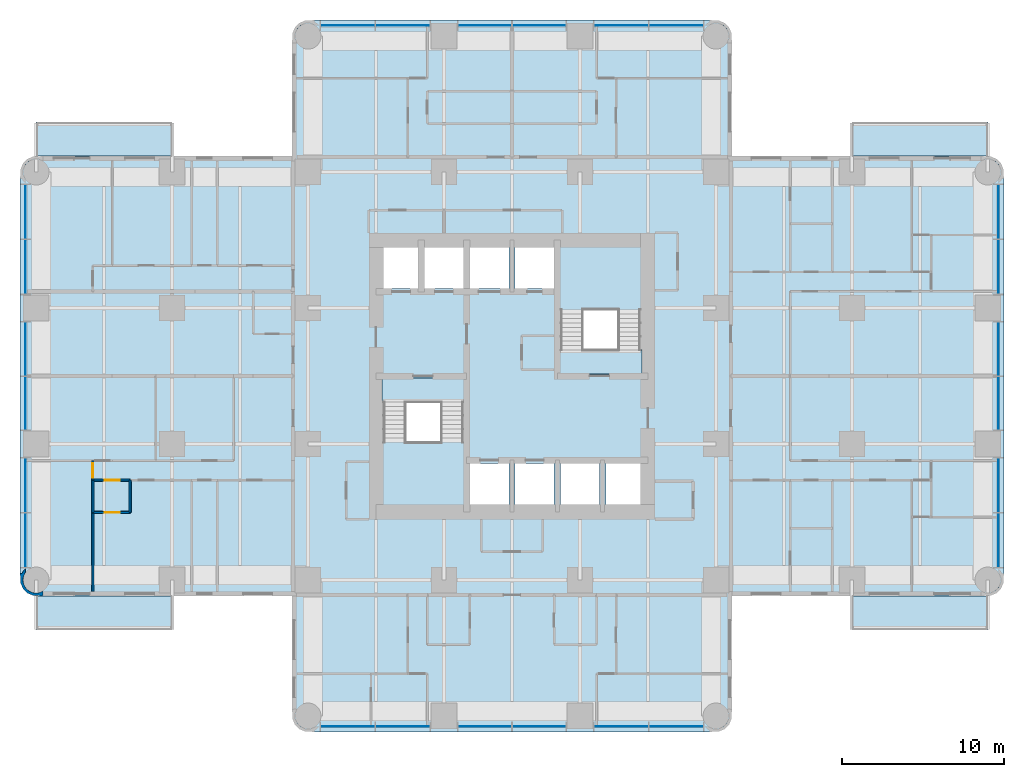
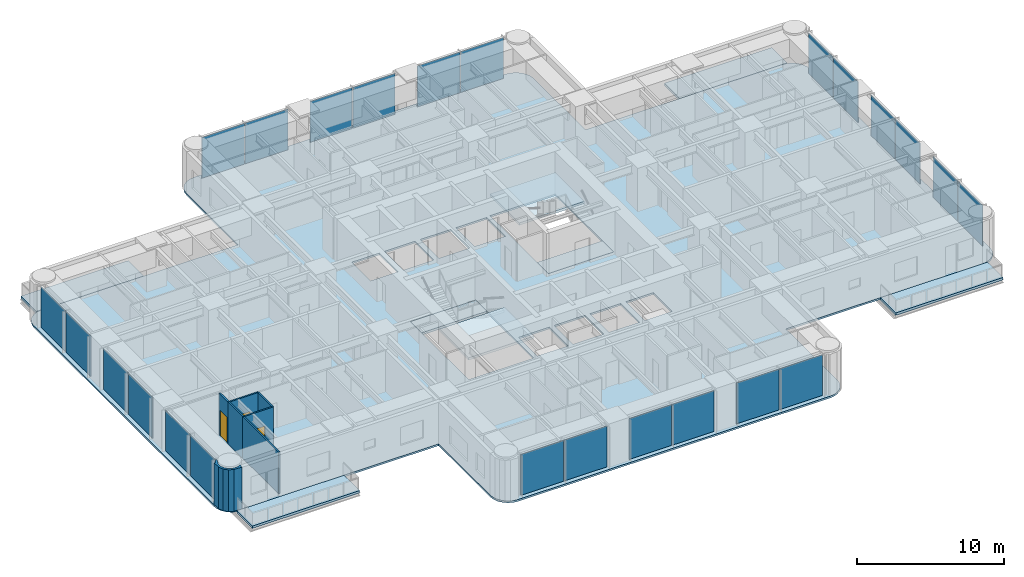
# One storey, part 5 of 15: 24 plates, 9 slabs, 7 walls, 3 doors, 3 openings, 6 elements without a shape of their own.
"""IFC4 building model written with IfcOpenShell, lengths in metres."""

import ifcopenshell
import ifcopenshell.guid

model = None  # the IFC model being written
_history = None  # IfcOwnerHistory: only IFC2X3 demands one
_inside = {}  # id of a spatial element -> (the spatial element, [elements in it])
_under = {}  # id of a project, library or spatial element -> (it, [spatial elements below it])
_declared = {}  # id of a project -> (the project, [libraries it declares])
_typed = {}  # id of a type object -> (the type object, [elements of that type])
_made_of = {}  # id of a material, layer set ... -> (it, [elements and type objects made of it])


def new_model(schema):
    """Start an empty IFC model of exactly this schema.

    Asked for "IFC4X3", IfcOpenShell would pick the latest addendum, in which some entities
    have other attributes; the version numbers below select the first issue.
    IFC2X3 requires an IfcOwnerHistory on every rooted entity: one is made here for all.
    """
    global model, _history
    if schema == "IFC4X3":
        model = ifcopenshell.file(schema_version=(4, 3, 0, 0))
    else:
        model = ifcopenshell.file(schema=schema)
    _inside.clear()
    _under.clear()
    _declared.clear()
    _typed.clear()
    _made_of.clear()
    _history = None
    if model.schema == "IFC2X3":
        org = make("IfcOrganization", Name="unknown")
        user = make(
            "IfcPersonAndOrganization",
            ThePerson=make("IfcPerson", FamilyName="unknown"),
            TheOrganization=org,
        )
        app = make(
            "IfcApplication",
            ApplicationDeveloper=org,
            Version="unknown",
            ApplicationFullName="unknown",
            ApplicationIdentifier="unknown",
        )
        _history = make(
            "IfcOwnerHistory",
            OwningUser=user,
            OwningApplication=app,
            ChangeAction="ADDED",
            CreationDate=0,
        )
    return model


def make(cls, **values):
    """One entity of the class cls with the attributes given. An attribute that is None is left unset."""
    return model.create_entity(
        cls, **{name: value for name, value in values.items() if value is not None}
    )


def rooted(cls, **values):
    """An entity with a GlobalId (a new one), such as an element, a storey or a relation."""
    return make(cls, GlobalId=ifcopenshell.guid.new(), OwnerHistory=_history, **values)


def si_unit(unit_type, name, prefix=None):
    """IfcSIUnit, for example si_unit("LENGTHUNIT", "METRE", prefix="MILLI")."""
    return make("IfcSIUnit", UnitType=unit_type, Prefix=prefix, Name=name)


def assignment(units):
    """IfcUnitAssignment: the units of a project."""
    return None if units is None else make("IfcUnitAssignment", Units=units)


def point(xyz):
    """IfcCartesianPoint."""
    return None if xyz is None else make("IfcCartesianPoint", Coordinates=xyz)


def direction(xyz):
    """IfcDirection."""
    return None if xyz is None else make("IfcDirection", DirectionRatios=xyz)


def frame(location, z_axis=None, x_axis=None):
    """IfcAxis2Placement3D, a coordinate frame: its origin and axes. An axis left out is left unset."""
    return make(
        "IfcAxis2Placement3D",
        Location=point(location),
        Axis=direction(z_axis),
        RefDirection=direction(x_axis),
    )


def frame_2d(location, x_axis=None):
    """IfcAxis2Placement2D, a coordinate frame in the plane: its origin and x axis."""
    return make(
        "IfcAxis2Placement2D", Location=point(location), RefDirection=direction(x_axis)
    )


def origin():
    """The frame at (0, 0, 0) with its axes left unset."""
    return frame((0.0, 0.0, 0.0))


def origin_2d():
    """The frame at (0, 0) in the plane with its x axis left unset."""
    return frame_2d((0.0, 0.0))


def place(relative_to, where):
    """IfcLocalPlacement: puts the frame where relative to a parent placement (None: the world)."""
    return make(
        "IfcLocalPlacement", PlacementRelTo=relative_to, RelativePlacement=where
    )


def context(
    kind, dimensions, precision=None, world=None, true_north=None, identifier=None
):
    """IfcGeometricRepresentationContext, for example the 3D "Model" context."""
    return make(
        "IfcGeometricRepresentationContext",
        ContextIdentifier=identifier,
        ContextType=kind,
        CoordinateSpaceDimension=dimensions,
        Precision=precision,
        WorldCoordinateSystem=world,
        TrueNorth=true_north,
    )


def subcontext(parent, identifier, kind, view, scale=None):
    """IfcGeometricRepresentationSubContext, for example "Body" below "Model"."""
    return make(
        "IfcGeometricRepresentationSubContext",
        ContextIdentifier=identifier,
        ContextType=kind,
        ParentContext=parent,
        TargetScale=scale,
        TargetView=view,
    )


def project(units=None, contexts=None):
    """IfcProject with its units and contexts."""
    return rooted(
        "IfcProject",
        Name="project",
        RepresentationContexts=contexts,
        UnitsInContext=assignment(units),
    )


def spatial(cls, under=None, at=None, **own):
    """A site, building, storey or space (cls), placed at a placement, below another one or the project."""
    s = rooted(cls, ObjectPlacement=at, **own)
    if under is not None:
        _under.setdefault(under.id(), (under, []))[1].append(s)
    return s


def polyline(points):
    """IfcPolyline through the points."""
    return make("IfcPolyline", Points=[point(p) for p in points])


def profile(cls, at=None, kind="AREA", **sizes):
    """A parametric profile (cls). Its sizes go by their IFC names, for example OverallWidth=200.0."""
    return make(cls, ProfileType=kind, Position=at, **sizes)


def rectangle(**sizes):
    """IfcRectangleProfileDef."""
    return profile("IfcRectangleProfileDef", **sizes)


def outline(outer, holes=None, kind="AREA"):
    """IfcArbitraryClosedProfileDef: a profile drawn as a closed curve; with holes, ...WithVoids."""
    if holes is None:
        return make("IfcArbitraryClosedProfileDef", ProfileType=kind, OuterCurve=outer)
    return make(
        "IfcArbitraryProfileDefWithVoids",
        ProfileType=kind,
        OuterCurve=outer,
        InnerCurves=holes,
    )


def extrude(swept, where, along, depth):
    """IfcExtrudedAreaSolid: the profile swept, set in the frame where, extruded along a direction by depth."""
    return make(
        "IfcExtrudedAreaSolid",
        SweptArea=swept,
        Position=where,
        ExtrudedDirection=direction(along),
        Depth=depth,
    )


def shape(context_of_items, identifier, shape_type, items):
    """IfcShapeRepresentation: the items that make up one representation, for example the "Body"."""
    return make(
        "IfcShapeRepresentation",
        ContextOfItems=context_of_items,
        RepresentationIdentifier=identifier,
        RepresentationType=shape_type,
        Items=items,
    )


def material(Name=None, Category=None):
    """IfcMaterial."""
    return make("IfcMaterial", Name=Name, Category=Category)


def layer(
    of_material, thickness, ventilated=None, Name=None, Category=None, Priority=None
):
    """IfcMaterialLayer: one layer of a wall or slab, of a material (None: an air gap)."""
    return make(
        "IfcMaterialLayer",
        Material=of_material,
        LayerThickness=thickness,
        IsVentilated=ventilated,
        Name=Name,
        Category=Category,
        Priority=Priority,
    )


def layer_set(layers, Name=None):
    """IfcMaterialLayerSet."""
    return make("IfcMaterialLayerSet", MaterialLayers=layers, LayerSetName=Name)


def made_of(thing, what):
    """Note that an element or type object is made of a material, layer set ...; save() writes the relation."""
    if what is not None:
        _made_of.setdefault(what.id(), (what, []))[1].append(thing)
    return thing


def type_object(cls, material=None, **own):
    """A type object (cls), such as IfcWallType, which elements share."""
    return made_of(rooted(cls, **own), material)


def element(
    cls,
    number,
    at=None,
    inside=None,
    cuts=None,
    type_object=None,
    material=None,
    context=None,
    identifier="Body",
    shape_type=None,
    held_by="IfcProductDefinitionShape",
    body=None,
    shapes=None,
    **own,
):
    """One element of the class cls, such as IfcWall. Its Tag is "e" and its number.

    at: its placement. inside: the storey or other place that contains it. cuts: it is an
    opening in that element (IfcRelVoidsElement). A single representation is given by context,
    identifier, shape_type and body (its items); several are given by shapes. held_by: the class
    of the entity that holds the representations. save() writes the other relations.
    """
    e = rooted(cls, Tag="e%d" % number, ObjectPlacement=at, **own)
    if body is not None:
        shapes = [shape(context, identifier, shape_type, body)]
    if shapes is not None:
        e.Representation = make(held_by, Representations=shapes)
    if inside is not None:
        _inside.setdefault(inside.id(), (inside, []))[1].append(e)
    if cuts is not None:
        rooted(
            "IfcRelVoidsElement", RelatingBuildingElement=cuts, RelatedOpeningElement=e
        )
    if type_object is not None:
        _typed.setdefault(type_object.id(), (type_object, []))[1].append(e)
    return made_of(e, material)


def fill(opening, filler):
    """IfcRelFillsElement: the door or window that sits in an opening."""
    return rooted(
        "IfcRelFillsElement",
        RelatingOpeningElement=opening,
        RelatedBuildingElement=filler,
    )


def aggregate(whole, parts):
    """IfcRelAggregates: a whole, such as a stair, and the parts it consists of."""
    return rooted("IfcRelAggregates", RelatingObject=whole, RelatedObjects=parts)


def save(model, path):
    """Write the relations noted so far, then the file.

    IfcRelAggregates (storeys below a building ...), IfcRelContainedInSpatialStructure (elements
    in a storey), IfcRelDefinesByType, IfcRelAssociatesMaterial and IfcRelDeclares: one each for
    every whole, place, type object, material and project.
    """
    for whole, parts in _under.values():
        aggregate(whole, parts)
    for where, things in _inside.values():
        rooted(
            "IfcRelContainedInSpatialStructure",
            RelatedElements=things,
            RelatingStructure=where,
        )
    for kind, things in _typed.values():
        rooted("IfcRelDefinesByType", RelatedObjects=things, RelatingType=kind)
    for what, things in _made_of.values():
        rooted("IfcRelAssociatesMaterial", RelatedObjects=things, RelatingMaterial=what)
    for by, libraries in _declared.values():
        rooted("IfcRelDeclares", RelatingContext=by, RelatedDefinitions=libraries)
    model.write(path)


model = new_model("IFC4")

# Units and contexts
model_context = context("Model", 3, precision=1e-05, world=origin(), true_north=direction((0.0, 1.0)))
body_context = subcontext(model_context, "Body", "Model", "MODEL_VIEW")
ifc_project = project(units=[si_unit("LENGTHUNIT", "METRE"), si_unit("AREAUNIT", "SQUARE_METRE"), si_unit("VOLUMEUNIT", "CUBIC_METRE"), si_unit("PLANEANGLEUNIT", "RADIAN"), si_unit("MASSUNIT", "GRAM", prefix="KILO")], contexts=[model_context])

# Site, building, storey
site_placement = place(None, origin())
site = spatial("IfcSite", under=ifc_project, at=site_placement, CompositionType="ELEMENT")
building_placement = place(site_placement, origin())
building = spatial("IfcBuilding", under=site, at=building_placement, Name="Torre Alcanfor", CompositionType="ELEMENT")
storey_placement = place(building_placement, frame((0.0, 0.0, 123.300048828125)))
storey = spatial("IfcBuildingStorey", under=building, at=storey_placement, Name="L31", CompositionType="ELEMENT", Elevation=123.300048828125)

# Slabs
ifc_material_1 = material(Name="Concrete f'c 35 MPa", Category="concrete")
ifc_layer_1 = layer(ifc_material_1, 0.199951171875)
ifc_layer_set_1 = layer_set([ifc_layer_1], Name="Balcony slab 200")
slab_type_1 = type_object("IfcSlabType", Name="Balcony slab 200", PredefinedType="FLOOR", material=ifc_layer_set_1)
slab_1_placement = place(storey_placement, frame((0.0, 0.0, -0.199951171875)))
element("IfcSlab", 1, at=slab_1_placement, inside=storey, type_object=slab_type_1, Name="Balcony L31-E1", PredefinedType="FLOOR", context=body_context, shape_type="SweptSolid", body=[
    extrude(outline(polyline([(50.39990234375, 43.0), (58.800048828125, 43.0), (58.800048828125, 45.10009765625), (50.39990234375, 45.10009765625), (50.39990234375, 43.0)])), origin(), (0.0, 0.0, 1.0), 0.199951171875),
])
slab_2_placement = place(storey_placement, frame((0.0, 0.0, -0.199951171875)))
element("IfcSlab", 2, at=slab_2_placement, inside=storey, type_object=slab_type_1, Name="Balcony L31-E2", PredefinedType="FLOOR", context=body_context, shape_type="SweptSolid", body=[
    extrude(outline(polyline([(50.39990234375, 13.699951171875), (58.800048828125, 13.699951171875), (58.800048828125, 15.800048828125), (50.39990234375, 15.800048828125), (50.39990234375, 13.699951171875)])), origin(), (0.0, 0.0, 1.0), 0.199951171875),
])
slab_3_placement = place(storey_placement, frame((0.0, 0.0, -0.199951171875)))
element("IfcSlab", 3, at=slab_3_placement, inside=storey, type_object=slab_type_1, Name="Balcony L31-W1", PredefinedType="FLOOR", context=body_context, shape_type="SweptSolid", body=[
    extrude(outline(polyline([(8.39990234375, 15.800048828125), (0.0, 15.800048828125), (0.0, 13.699951171875), (8.39990234375, 13.699951171875), (8.39990234375, 15.800048828125)])), origin(), (0.0, 0.0, 1.0), 0.199951171875),
])
slab_4_placement = place(storey_placement, frame((0.0, 0.0, -0.199951171875)))
element("IfcSlab", 4, at=slab_4_placement, inside=storey, type_object=slab_type_1, Name="Balcony L31-W2", PredefinedType="FLOOR", context=body_context, shape_type="SweptSolid", body=[
    extrude(outline(polyline([(8.39990234375, 45.10009765625), (0.0, 45.10009765625), (0.0, 43.0), (8.39990234375, 43.0), (8.39990234375, 45.10009765625)])), origin(), (0.0, 0.0, 1.0), 0.199951171875),
])

# Curtain wall, plates
ifc_material_2 = material(Name="Aluminium and glass", Category="aluminium")
curtain_wall_type = type_object("IfcCurtainWallType", Name="CW-A unitised apartment glazing with vertical FIN", PredefinedType="NOTDEFINED", material=ifc_material_2)
curtain_wall_1_placement = place(storey_placement, origin())
curtain_wall_1 = element("IfcCurtainWall", 5, at=curtain_wall_1_placement, inside=storey, type_object=curtain_wall_type, Name="Curtain wall CW-A L31 2", PredefinedType="NOTDEFINED")
ifc_material_3 = material(Name="Glass", Category="glass")
ifc_layer_2 = layer(ifc_material_3, 0.028076171875)
ifc_layer_set_2 = layer_set([ifc_layer_2], Name="CW-A clear double glazed unit")
plate_type = type_object("IfcPlateType", Name="CW-A clear double glazed unit", PredefinedType="CURTAIN_PANEL", material=ifc_layer_set_2)
plate_1_placement = place(storey_placement, frame((-0.64990234375, 39.541259765625, 0.0), z_axis=(0.0, 0.0, 1.0), x_axis=(0.0, -1.0, 0.0)))
plate_1 = element("IfcPlate", 6, at=plate_1_placement, type_object=plate_type, Name="CW-A panel 1.1.1", PredefinedType="CURTAIN_PANEL", context=body_context, shape_type="SweptSolid", body=[
    extrude(rectangle(XDim=3.337646484375, YDim=0.028076171875, at=origin_2d()), origin(), (0.0, 0.0, 1.0), 3.385009765625),
])
plate_2_placement = place(storey_placement, frame((-0.64990234375, 36.138671875, 0.0), z_axis=(0.0, 0.0, 1.0), x_axis=(0.0, -1.0, 0.0)))
plate_2 = element("IfcPlate", 7, at=plate_2_placement, type_object=plate_type, Name="CW-A panel 1.2.1", PredefinedType="CURTAIN_PANEL", context=body_context, shape_type="SweptSolid", body=[
    extrude(rectangle(XDim=3.337646484375, YDim=0.028076171875, at=origin_2d()), origin(), (0.0, 0.0, 1.0), 3.385009765625),
])
plate_3_placement = place(storey_placement, frame((-0.64990234375, 31.081298828125, 0.0), z_axis=(0.0, 0.0, 1.0), x_axis=(0.0, -1.0, 0.0)))
plate_3 = element("IfcPlate", 8, at=plate_3_placement, type_object=plate_type, Name="CW-A panel 2.1.1", PredefinedType="CURTAIN_PANEL", context=body_context, shape_type="SweptSolid", body=[
    extrude(rectangle(XDim=3.297607421875, YDim=0.028076171875, at=origin_2d()), origin(), (0.0, 0.0, 1.0), 3.385009765625),
])
plate_4_placement = place(storey_placement, frame((-0.64990234375, 27.71875, 0.0), z_axis=(0.0, 0.0, 1.0), x_axis=(0.0, -1.0, 0.0)))
plate_4 = element("IfcPlate", 9, at=plate_4_placement, type_object=plate_type, Name="CW-A panel 2.2.1", PredefinedType="CURTAIN_PANEL", context=body_context, shape_type="SweptSolid", body=[
    extrude(rectangle(XDim=3.297607421875, YDim=0.028076171875, at=origin_2d()), origin(), (0.0, 0.0, 1.0), 3.385009765625),
])
plate_5_placement = place(storey_placement, frame((-0.64990234375, 22.6611328125, 0.0), z_axis=(0.0, 0.0, 1.0), x_axis=(0.0, -1.0, 0.0)))
plate_5 = element("IfcPlate", 10, at=plate_5_placement, type_object=plate_type, Name="CW-A panel 3.1.1", PredefinedType="CURTAIN_PANEL", context=body_context, shape_type="SweptSolid", body=[
    extrude(rectangle(XDim=3.337646484375, YDim=0.028076171875, at=origin_2d()), origin(), (0.0, 0.0, 1.0), 3.385009765625),
])
plate_6_placement = place(storey_placement, frame((-0.64990234375, 19.2587890625, 0.0), z_axis=(0.0, 0.0, 1.0), x_axis=(0.0, -1.0, 0.0)))
plate_6 = element("IfcPlate", 11, at=plate_6_placement, type_object=plate_type, Name="CW-A panel 3.2.1", PredefinedType="CURTAIN_PANEL", context=body_context, shape_type="SweptSolid", body=[
    extrude(rectangle(XDim=3.337646484375, YDim=0.028076171875, at=origin_2d()), origin(), (0.0, 0.0, 1.0), 3.385009765625),
])
aggregate(curtain_wall_1, [plate_1, plate_2, plate_3, plate_4, plate_5, plate_6])

curtain_wall_2_placement = place(storey_placement, origin())
curtain_wall_2 = element("IfcCurtainWall", 12, at=curtain_wall_2_placement, inside=storey, type_object=curtain_wall_type, Name="Curtain wall CW-A L31 5", PredefinedType="NOTDEFINED")
plate_7_placement = place(storey_placement, frame((19.2587890625, 7.75, 0.0), z_axis=(0.0, 0.0, 1.0), x_axis=(1.0, 0.0, 0.0)))
plate_7 = element("IfcPlate", 13, at=plate_7_placement, type_object=plate_type, Name="CW-A panel 1.1.1", PredefinedType="CURTAIN_PANEL", context=body_context, shape_type="SweptSolid", body=[
    extrude(rectangle(XDim=3.337646484375, YDim=0.028076171875, at=origin_2d()), origin(), (0.0, 0.0, 1.0), 3.385009765625),
])
plate_8_placement = place(storey_placement, frame((22.6611328125, 7.75, 0.0), z_axis=(0.0, 0.0, 1.0), x_axis=(1.0, 0.0, 0.0)))
plate_8 = element("IfcPlate", 14, at=plate_8_placement, type_object=plate_type, Name="CW-A panel 1.2.1", PredefinedType="CURTAIN_PANEL", context=body_context, shape_type="SweptSolid", body=[
    extrude(rectangle(XDim=3.337646484375, YDim=0.028076171875, at=origin_2d()), origin(), (0.0, 0.0, 1.0), 3.385009765625),
])
plate_9_placement = place(storey_placement, frame((27.71875, 7.75, 0.0), z_axis=(0.0, 0.0, 1.0), x_axis=(1.0, 0.0, 0.0)))
plate_9 = element("IfcPlate", 15, at=plate_9_placement, type_object=plate_type, Name="CW-A panel 2.1.1", PredefinedType="CURTAIN_PANEL", context=body_context, shape_type="SweptSolid", body=[
    extrude(rectangle(XDim=3.297607421875, YDim=0.028076171875, at=origin_2d()), origin(), (0.0, 0.0, 1.0), 3.385009765625),
])
plate_10_placement = place(storey_placement, frame((31.081298828125, 7.75, 0.0), z_axis=(0.0, 0.0, 1.0), x_axis=(1.0, 0.0, 0.0)))
plate_10 = element("IfcPlate", 16, at=plate_10_placement, type_object=plate_type, Name="CW-A panel 2.2.1", PredefinedType="CURTAIN_PANEL", context=body_context, shape_type="SweptSolid", body=[
    extrude(rectangle(XDim=3.297607421875, YDim=0.028076171875, at=origin_2d()), origin(), (0.0, 0.0, 1.0), 3.385009765625),
])
plate_11_placement = place(storey_placement, frame((36.138671875, 7.75, 0.0), z_axis=(0.0, 0.0, 1.0), x_axis=(1.0, 0.0, 0.0)))
plate_11 = element("IfcPlate", 17, at=plate_11_placement, type_object=plate_type, Name="CW-A panel 3.1.1", PredefinedType="CURTAIN_PANEL", context=body_context, shape_type="SweptSolid", body=[
    extrude(rectangle(XDim=3.337646484375, YDim=0.028076171875, at=origin_2d()), origin(), (0.0, 0.0, 1.0), 3.385009765625),
])
plate_12_placement = place(storey_placement, frame((39.541259765625, 7.75, 0.0), z_axis=(0.0, 0.0, 1.0), x_axis=(1.0, 0.0, 0.0)))
plate_12 = element("IfcPlate", 18, at=plate_12_placement, type_object=plate_type, Name="CW-A panel 3.2.1", PredefinedType="CURTAIN_PANEL", context=body_context, shape_type="SweptSolid", body=[
    extrude(rectangle(XDim=3.337646484375, YDim=0.028076171875, at=origin_2d()), origin(), (0.0, 0.0, 1.0), 3.385009765625),
])
aggregate(curtain_wall_2, [plate_7, plate_8, plate_9, plate_10, plate_11, plate_12])

curtain_wall_3_placement = place(storey_placement, origin())
curtain_wall_3 = element("IfcCurtainWall", 19, at=curtain_wall_3_placement, inside=storey, type_object=curtain_wall_type, Name="Curtain wall CW-A L31 8", PredefinedType="NOTDEFINED")
plate_13_placement = place(storey_placement, frame((59.449951171875, 19.2587890625, 0.0), z_axis=(0.0, 0.0, 1.0), x_axis=(0.0, 1.0, 0.0)))
plate_13 = element("IfcPlate", 20, at=plate_13_placement, type_object=plate_type, Name="CW-A panel 1.1.1", PredefinedType="CURTAIN_PANEL", context=body_context, shape_type="SweptSolid", body=[
    extrude(rectangle(XDim=3.337646484375, YDim=0.028076171875, at=origin_2d()), origin(), (0.0, 0.0, 1.0), 3.385009765625),
])
plate_14_placement = place(storey_placement, frame((59.449951171875, 22.6611328125, 0.0), z_axis=(0.0, 0.0, 1.0), x_axis=(0.0, 1.0, 0.0)))
plate_14 = element("IfcPlate", 21, at=plate_14_placement, type_object=plate_type, Name="CW-A panel 1.2.1", PredefinedType="CURTAIN_PANEL", context=body_context, shape_type="SweptSolid", body=[
    extrude(rectangle(XDim=3.337646484375, YDim=0.028076171875, at=origin_2d()), origin(), (0.0, 0.0, 1.0), 3.385009765625),
])
plate_15_placement = place(storey_placement, frame((59.449951171875, 27.71875, 0.0), z_axis=(0.0, 0.0, 1.0), x_axis=(0.0, 1.0, 0.0)))
plate_15 = element("IfcPlate", 22, at=plate_15_placement, type_object=plate_type, Name="CW-A panel 2.1.1", PredefinedType="CURTAIN_PANEL", context=body_context, shape_type="SweptSolid", body=[
    extrude(rectangle(XDim=3.297607421875, YDim=0.028076171875, at=origin_2d()), origin(), (0.0, 0.0, 1.0), 3.385009765625),
])
plate_16_placement = place(storey_placement, frame((59.449951171875, 31.081298828125, 0.0), z_axis=(0.0, 0.0, 1.0), x_axis=(0.0, 1.0, 0.0)))
plate_16 = element("IfcPlate", 23, at=plate_16_placement, type_object=plate_type, Name="CW-A panel 2.2.1", PredefinedType="CURTAIN_PANEL", context=body_context, shape_type="SweptSolid", body=[
    extrude(rectangle(XDim=3.297607421875, YDim=0.028076171875, at=origin_2d()), origin(), (0.0, 0.0, 1.0), 3.385009765625),
])
plate_17_placement = place(storey_placement, frame((59.449951171875, 36.138671875, 0.0), z_axis=(0.0, 0.0, 1.0), x_axis=(0.0, 1.0, 0.0)))
plate_17 = element("IfcPlate", 24, at=plate_17_placement, type_object=plate_type, Name="CW-A panel 3.1.1", PredefinedType="CURTAIN_PANEL", context=body_context, shape_type="SweptSolid", body=[
    extrude(rectangle(XDim=3.337646484375, YDim=0.028076171875, at=origin_2d()), origin(), (0.0, 0.0, 1.0), 3.385009765625),
])
plate_18_placement = place(storey_placement, frame((59.449951171875, 39.541259765625, 0.0), z_axis=(0.0, 0.0, 1.0), x_axis=(0.0, 1.0, 0.0)))
plate_18 = element("IfcPlate", 25, at=plate_18_placement, type_object=plate_type, Name="CW-A panel 3.2.1", PredefinedType="CURTAIN_PANEL", context=body_context, shape_type="SweptSolid", body=[
    extrude(rectangle(XDim=3.337646484375, YDim=0.028076171875, at=origin_2d()), origin(), (0.0, 0.0, 1.0), 3.385009765625),
])
aggregate(curtain_wall_3, [plate_13, plate_14, plate_15, plate_16, plate_17, plate_18])

curtain_wall_4_placement = place(storey_placement, origin())
curtain_wall_4 = element("IfcCurtainWall", 26, at=curtain_wall_4_placement, inside=storey, type_object=curtain_wall_type, Name="Curtain wall CW-A L31 11", PredefinedType="NOTDEFINED")
plate_19_placement = place(storey_placement, frame((39.541259765625, 51.050048828125, 0.0), z_axis=(0.0, 0.0, 1.0), x_axis=(-1.0, 0.0, 0.0)))
plate_19 = element("IfcPlate", 27, at=plate_19_placement, type_object=plate_type, Name="CW-A panel 1.1.1", PredefinedType="CURTAIN_PANEL", context=body_context, shape_type="SweptSolid", body=[
    extrude(rectangle(XDim=3.337646484375, YDim=0.028076171875, at=origin_2d()), origin(), (0.0, 0.0, 1.0), 3.385009765625),
])
plate_20_placement = place(storey_placement, frame((36.138671875, 51.050048828125, 0.0), z_axis=(0.0, 0.0, 1.0), x_axis=(-1.0, 0.0, 0.0)))
plate_20 = element("IfcPlate", 28, at=plate_20_placement, type_object=plate_type, Name="CW-A panel 1.2.1", PredefinedType="CURTAIN_PANEL", context=body_context, shape_type="SweptSolid", body=[
    extrude(rectangle(XDim=3.337646484375, YDim=0.028076171875, at=origin_2d()), origin(), (0.0, 0.0, 1.0), 3.385009765625),
])
plate_21_placement = place(storey_placement, frame((31.081298828125, 51.050048828125, 0.0), z_axis=(0.0, 0.0, 1.0), x_axis=(-1.0, 0.0, 0.0)))
plate_21 = element("IfcPlate", 29, at=plate_21_placement, type_object=plate_type, Name="CW-A panel 2.1.1", PredefinedType="CURTAIN_PANEL", context=body_context, shape_type="SweptSolid", body=[
    extrude(rectangle(XDim=3.297607421875, YDim=0.028076171875, at=origin_2d()), origin(), (0.0, 0.0, 1.0), 3.385009765625),
])
plate_22_placement = place(storey_placement, frame((27.71875, 51.050048828125, 0.0), z_axis=(0.0, 0.0, 1.0), x_axis=(-1.0, 0.0, 0.0)))
plate_22 = element("IfcPlate", 30, at=plate_22_placement, type_object=plate_type, Name="CW-A panel 2.2.1", PredefinedType="CURTAIN_PANEL", context=body_context, shape_type="SweptSolid", body=[
    extrude(rectangle(XDim=3.297607421875, YDim=0.028076171875, at=origin_2d()), origin(), (0.0, 0.0, 1.0), 3.385009765625),
])
plate_23_placement = place(storey_placement, frame((22.6611328125, 51.050048828125, 0.0), z_axis=(0.0, 0.0, 1.0), x_axis=(-1.0, 0.0, 0.0)))
plate_23 = element("IfcPlate", 31, at=plate_23_placement, type_object=plate_type, Name="CW-A panel 3.1.1", PredefinedType="CURTAIN_PANEL", context=body_context, shape_type="SweptSolid", body=[
    extrude(rectangle(XDim=3.337646484375, YDim=0.028076171875, at=origin_2d()), origin(), (0.0, 0.0, 1.0), 3.385009765625),
])
plate_24_placement = place(storey_placement, frame((19.2587890625, 51.050048828125, 0.0), z_axis=(0.0, 0.0, 1.0), x_axis=(-1.0, 0.0, 0.0)))
plate_24 = element("IfcPlate", 32, at=plate_24_placement, type_object=plate_type, Name="CW-A panel 3.2.1", PredefinedType="CURTAIN_PANEL", context=body_context, shape_type="SweptSolid", body=[
    extrude(rectangle(XDim=3.337646484375, YDim=0.028076171875, at=origin_2d()), origin(), (0.0, 0.0, 1.0), 3.385009765625),
])
aggregate(curtain_wall_4, [plate_19, plate_20, plate_21, plate_22, plate_23, plate_24])

# Slab
ifc_material_4 = material(Name="Concrete f'c 35 MPa", Category="concrete")
ifc_layer_3 = layer(ifc_material_4, 0.14990234375)
ifc_layer_set_3 = layer_set([ifc_layer_3], Name="Composite floor 150 on metal deck")
slab_type_2 = type_object("IfcSlabType", Name="Composite floor 150 on metal deck", PredefinedType="FLOOR", material=ifc_layer_set_3)
slab_5_placement = place(storey_placement, frame((0.0, 0.0, -0.150146484375)))
element("IfcSlab", 33, at=slab_5_placement, inside=storey, type_object=slab_type_2, Name="Floor slab L31", PredefinedType="FLOOR", context=body_context, shape_type="SweptSolid", body=[
    extrude(outline(polyline([(15.800048828125, 43.0), (0.39990234375, 43.0), (0.03759765625, 42.952392578125), (-0.300048828125, 42.8125), (-0.58984375, 42.58984375), (-0.8125, 42.300048828125), (-0.952392578125, 41.96240234375), (-1.0, 41.60009765625), (-1.0, 17.199951171875), (-0.952392578125, 16.837646484375), (-0.8125, 16.5), (-0.58984375, 16.210205078125), (-0.300048828125, 15.987548828125), (0.03759765625, 15.84765625), (0.39990234375, 15.800048828125), (15.800048828125, 15.800048828125), (15.800048828125, 8.800048828125), (15.84765625, 8.437744140625), (15.987548828125, 8.10009765625), (16.210205078125, 7.81005859375), (16.5, 7.587646484375), (16.837646484375, 7.44775390625), (17.199951171875, 7.39990234375), (41.60009765625, 7.39990234375), (41.96240234375, 7.44775390625), (42.300048828125, 7.587646484375), (42.58984375, 7.81005859375), (42.8125, 8.10009765625), (42.952392578125, 8.437744140625), (43.0, 8.800048828125), (43.0, 15.800048828125), (58.39990234375, 15.800048828125), (58.76220703125, 15.84765625), (59.10009765625, 15.987548828125), (59.389892578125, 16.210205078125), (59.6123046875, 16.5), (59.752197265625, 16.837646484375), (59.800048828125, 17.199951171875), (59.800048828125, 41.60009765625), (59.752197265625, 41.96240234375), (59.6123046875, 42.300048828125), (59.389892578125, 42.58984375), (59.10009765625, 42.8125), (58.76220703125, 42.952392578125), (58.39990234375, 43.0), (43.0, 43.0), (43.0, 50.0), (42.952392578125, 50.3623046875), (42.8125, 50.699951171875), (42.58984375, 50.989990234375), (42.300048828125, 51.21240234375), (41.96240234375, 51.352294921875), (41.60009765625, 51.39990234375), (17.199951171875, 51.39990234375), (16.837646484375, 51.352294921875), (16.5, 51.21240234375), (16.210205078125, 50.989990234375), (15.987548828125, 50.699951171875), (15.84765625, 50.3623046875), (15.800048828125, 50.0), (15.800048828125, 43.0)]), holes=[polyline([(21.3701171875, 21.3701171875), (26.47998046875, 21.3701171875), (26.47998046875, 29.280029296875), (21.3701171875, 29.280029296875), (21.3701171875, 21.3701171875)]), polyline([(32.320068359375, 29.52001953125), (37.429931640625, 29.52001953125), (37.429931640625, 37.429931640625), (32.320068359375, 37.429931640625), (32.320068359375, 29.52001953125)]), polyline([(26.800048828125, 21.449951171875), (29.199951171875, 21.449951171875), (29.199951171875, 24.0), (26.800048828125, 24.0), (26.800048828125, 21.449951171875)]), polyline([(29.60009765625, 21.449951171875), (32.0, 21.449951171875), (32.0, 24.0), (29.60009765625, 24.0), (29.60009765625, 21.449951171875)]), polyline([(32.39990234375, 21.449951171875), (34.800048828125, 21.449951171875), (34.800048828125, 24.0), (32.39990234375, 24.0), (32.39990234375, 21.449951171875)]), polyline([(35.199951171875, 21.449951171875), (37.35009765625, 21.449951171875), (37.35009765625, 24.0), (35.199951171875, 24.0), (35.199951171875, 21.449951171875)]), polyline([(21.449951171875, 34.800048828125), (23.60009765625, 34.800048828125), (23.60009765625, 37.35009765625), (21.449951171875, 37.35009765625), (21.449951171875, 34.800048828125)]), polyline([(24.0, 34.800048828125), (26.39990234375, 34.800048828125), (26.39990234375, 37.35009765625), (24.0, 37.35009765625), (24.0, 34.800048828125)]), polyline([(26.800048828125, 34.800048828125), (29.199951171875, 34.800048828125), (29.199951171875, 37.35009765625), (26.800048828125, 37.35009765625), (26.800048828125, 34.800048828125)]), polyline([(29.60009765625, 34.800048828125), (32.0, 34.800048828125), (32.0, 37.35009765625), (29.60009765625, 37.35009765625), (29.60009765625, 34.800048828125)])]), origin(), (0.0, 0.0, 1.0), 0.150146484375),
])

# Stair, slabs
ifc_material_5 = material(Name="Concrete f'c 35 MPa", Category="concrete")
stair_type_1 = type_object("IfcStairType", Name="Exit stair S1 1400 wide", PredefinedType="HALF_TURN_STAIR", material=ifc_material_5)
stair_1_placement = place(storey_placement, origin())
stair_1 = element("IfcStair", 34, at=stair_1_placement, inside=storey, type_object=stair_type_1, Name="Stair S1 L31 to L32", PredefinedType="HALF_TURN_STAIR")
ifc_material_6 = material(Name="Concrete f'c 35 MPa", Category="concrete")
ifc_layer_4 = layer(ifc_material_6, 0.199951171875)
ifc_layer_set_4 = layer_set([ifc_layer_4], Name="Stair landing 200")
slab_type_3 = type_object("IfcSlabType", Name="Stair landing 200", PredefinedType="LANDING", material=ifc_layer_set_4)
slab_6_placement = place(storey_placement, frame((0.0, 0.0, -0.199951171875)))
slab_6 = element("IfcSlab", 35, at=slab_6_placement, type_object=slab_type_3, Name="S1 landing 1", PredefinedType="LANDING", context=body_context, shape_type="SweptSolid", body=[
    extrude(outline(polyline([(21.3701171875, 27.75), (26.47998046875, 27.75), (26.47998046875, 29.280029296875), (21.3701171875, 29.280029296875), (21.3701171875, 27.75)])), origin(), (0.0, 0.0, 1.0), 0.199951171875),
])
slab_7_placement = place(storey_placement, frame((0.0, 0.0, 1.599853515625)))
slab_7 = element("IfcSlab", 36, at=slab_7_placement, type_object=slab_type_3, Name="S1 landing 2", PredefinedType="LANDING", context=body_context, shape_type="SweptSolid", body=[
    extrude(outline(polyline([(21.3701171875, 21.3701171875), (26.47998046875, 21.3701171875), (26.47998046875, 25.330078125), (21.3701171875, 25.330078125), (21.3701171875, 21.3701171875)])), origin(), (0.0, 0.0, 1.0), 0.2001953125),
])
aggregate(stair_1, [slab_6, slab_7])

ifc_material_7 = material(Name="Concrete f'c 35 MPa", Category="concrete")
stair_type_2 = type_object("IfcStairType", Name="Exit stair S2 1400 wide", PredefinedType="HALF_TURN_STAIR", material=ifc_material_7)
stair_2_placement = place(storey_placement, origin())
stair_2 = element("IfcStair", 37, at=stair_2_placement, inside=storey, type_object=stair_type_2, Name="Stair S2 L31 to L32", PredefinedType="HALF_TURN_STAIR")
slab_8_placement = place(storey_placement, frame((0.0, 0.0, -0.199951171875)))
slab_8 = element("IfcSlab", 38, at=slab_8_placement, type_object=slab_type_3, Name="S2 landing 1", PredefinedType="LANDING", context=body_context, shape_type="SweptSolid", body=[
    extrude(outline(polyline([(32.320068359375, 29.52001953125), (37.429931640625, 29.52001953125), (37.429931640625, 31.050048828125), (32.320068359375, 31.050048828125), (32.320068359375, 29.52001953125)])), origin(), (0.0, 0.0, 1.0), 0.199951171875),
])
slab_9_placement = place(storey_placement, frame((0.0, 0.0, 1.599853515625)))
slab_9 = element("IfcSlab", 39, at=slab_9_placement, type_object=slab_type_3, Name="S2 landing 2", PredefinedType="LANDING", context=body_context, shape_type="SweptSolid", body=[
    extrude(outline(polyline([(32.320068359375, 33.469970703125), (37.429931640625, 33.469970703125), (37.429931640625, 37.429931640625), (32.320068359375, 37.429931640625), (32.320068359375, 33.469970703125)])), origin(), (0.0, 0.0, 1.0), 0.2001953125),
])
aggregate(stair_2, [slab_8, slab_9])

# Wall, opening, door
ifc_material_8 = material(Name="Gypsum board on steel studs", Category="steel")
ifc_layer_5 = layer(ifc_material_8, 0.1201171875)
ifc_layer_set_5 = layer_set([ifc_layer_5], Name="Apartment partition 120")
wall_type_1 = type_object("IfcWallType", Name="Apartment partition 120", PredefinedType="PARTITIONING", material=ifc_layer_set_5)
wall_1_placement = place(storey_placement, frame((3.5, 22.970947265625, 0.0), z_axis=(0.0, 0.0, 1.0), x_axis=(1.0, 0.0, 0.0)))
wall_1 = element("IfcWall", 40, at=wall_1_placement, inside=storey, type_object=wall_type_1, Name="Partition L31-W1-HALL / L31-W1-VEST", PredefinedType="PARTITIONING", context=body_context, shape_type="SweptSolid", body=[
    extrude(rectangle(XDim=2.300048828125, YDim=0.1201171875, at=frame_2d((1.14990234375, 0.0))), origin(), (0.0, 0.0, 1.0), 3.449951171875),
])
opening_1_placement = place(wall_1_placement, frame((0.75, 0.0, 0.0)))
opening_1 = element("IfcOpeningElement", 41, at=opening_1_placement, cuts=wall_1, Name="Opening D-R1", PredefinedType="OPENING", context=body_context, shape_type="SweptSolid", body=[
    extrude(rectangle(XDim=0.89990234375, YDim=2.10009765625, at=frame_2d((0.449951171875, 1.050048828125))), frame((0.0, 0.070068359375, 0.0), z_axis=(0.0, -1.0, 0.0), x_axis=(1.0, 0.0, 0.0)), (0.0, 0.0, 1.0), 0.14013671875),
])
ifc_material_9 = material(Name="Timber", Category="wood")
door_type = type_object("IfcDoorType", Name="Internal door 900x2100", OperationType="SINGLE_SWING_LEFT", PredefinedType="DOOR", material=ifc_material_9)
door_1_placement = place(opening_1_placement, frame((0.89990234375, 0.0, 0.0), z_axis=(0.0, 0.0, 1.0), x_axis=(-1.0, 0.0, 0.0)))
door_1 = element("IfcDoor", 42, at=door_1_placement, inside=storey, type_object=door_type, Name="Door L31-W1 vest", OperationType="SINGLE_SWING_LEFT", OverallHeight=2.10009765625, OverallWidth=0.89990234375, PredefinedType="DOOR", context=body_context, shape_type="SweptSolid", body=[
    extrude(rectangle(XDim=0.89990234375, YDim=2.10009765625, at=frame_2d((0.449951171875, 1.050048828125))), frame((0.0, 0.025146484375, 0.0), z_axis=(0.0, -1.0, 0.0), x_axis=(1.0, 0.0, 0.0)), (0.0, 0.0, 1.0), 0.050048828125),
])
fill(opening_1, door_1)

wall_2_placement = place(storey_placement, frame((3.5, 24.1708984375, 0.0), z_axis=(0.0, 0.0, 1.0), x_axis=(0.0, -1.0, 0.0)))
wall_2 = element("IfcWall", 43, at=wall_2_placement, inside=storey, type_object=wall_type_1, Name="Partition L31-W1-HALL / L31-W1-WGARD", PredefinedType="PARTITIONING", context=body_context, shape_type="SweptSolid", body=[
    extrude(rectangle(XDim=1.199951171875, YDim=0.1201171875, at=frame_2d((0.60009765625, 0.0))), origin(), (0.0, 0.0, 1.0), 3.449951171875),
])
opening_2_placement = place(wall_2_placement, frame((0.15087890625, 0.0, 0.0)))
opening_2 = element("IfcOpeningElement", 44, at=opening_2_placement, cuts=wall_2, Name="Opening D-R1", PredefinedType="OPENING", context=body_context, shape_type="SweptSolid", body=[
    extrude(rectangle(XDim=0.89990234375, YDim=2.10009765625, at=frame_2d((0.449951171875, 1.050048828125))), frame((0.0, 0.070068359375, 0.0), z_axis=(0.0, -1.0, 0.0), x_axis=(1.0, 0.0, 0.0)), (0.0, 0.0, 1.0), 0.14013671875),
])
door_2_placement = place(opening_2_placement, frame((0.89990234375, 0.0, 0.0), z_axis=(0.0, 0.0, 1.0), x_axis=(-1.0, 0.0, 0.0)))
door_2 = element("IfcDoor", 45, at=door_2_placement, inside=storey, type_object=door_type, Name="Door L31-W1 wgard", OperationType="SINGLE_SWING_RIGHT", OverallHeight=2.10009765625, OverallWidth=0.89990234375, PredefinedType="DOOR", context=body_context, shape_type="SweptSolid", body=[
    extrude(rectangle(XDim=0.89990234375, YDim=2.10009765625, at=frame_2d((0.449951171875, 1.050048828125))), frame((0.0, 0.025146484375, 0.0), z_axis=(0.0, -1.0, 0.0), x_axis=(1.0, 0.0, 0.0)), (0.0, 0.0, 1.0), 0.050048828125),
])
fill(opening_2, door_2)

wall_3_placement = place(storey_placement, frame((3.5, 20.970947265625, 0.0), z_axis=(0.0, 0.0, 1.0), x_axis=(1.0, 0.0, 0.0)))
wall_3 = element("IfcWall", 46, at=wall_3_placement, inside=storey, type_object=wall_type_1, Name="Partition L31-W1-MASTER / L31-W1-VEST", PredefinedType="PARTITIONING", context=body_context, shape_type="SweptSolid", body=[
    extrude(rectangle(XDim=2.300048828125, YDim=0.1201171875, at=frame_2d((1.14990234375, 0.0))), origin(), (0.0, 0.0, 1.0), 3.449951171875),
])
opening_3_placement = place(wall_3_placement, frame((0.75, 0.0, 0.0)))
opening_3 = element("IfcOpeningElement", 47, at=opening_3_placement, cuts=wall_3, Name="Opening D-R1", PredefinedType="OPENING", context=body_context, shape_type="SweptSolid", body=[
    extrude(rectangle(XDim=0.89990234375, YDim=2.10009765625, at=frame_2d((0.449951171875, 1.050048828125))), frame((0.0, 0.070068359375, 0.0), z_axis=(0.0, -1.0, 0.0), x_axis=(1.0, 0.0, 0.0)), (0.0, 0.0, 1.0), 0.14013671875),
])
door_3_placement = place(opening_3_placement, origin())
door_3 = element("IfcDoor", 48, at=door_3_placement, inside=storey, type_object=door_type, Name="Door L31-W1 master", OperationType="SINGLE_SWING_RIGHT", OverallHeight=2.10009765625, OverallWidth=0.89990234375, PredefinedType="DOOR", context=body_context, shape_type="SweptSolid", body=[
    extrude(rectangle(XDim=0.89990234375, YDim=2.10009765625, at=frame_2d((0.449951171875, 1.050048828125))), frame((0.0, 0.02490234375, 0.0), z_axis=(0.0, -1.0, 0.0), x_axis=(1.0, 0.0, 0.0)), (0.0, 0.0, 1.0), 0.050048828125),
])
fill(opening_3, door_3)

# Walls
wall_4_placement = place(storey_placement, frame((5.800048828125, 20.970947265625, 0.0), z_axis=(0.0, 0.0, 1.0), x_axis=(0.0, 1.0, 0.0)))
element("IfcWall", 49, at=wall_4_placement, inside=storey, type_object=wall_type_1, Name="Partition L31-W1-MASTER / L31-W1-VEST", PredefinedType="PARTITIONING", context=body_context, shape_type="SweptSolid", body=[
    extrude(rectangle(XDim=2.0, YDim=0.1201171875, at=frame_2d((1.0, 0.0))), origin(), (0.0, 0.0, 1.0), 3.449951171875),
])
wall_5_placement = place(storey_placement, frame((3.5, 16.10009765625, 0.0), z_axis=(0.0, 0.0, 1.0), x_axis=(0.0, 1.0, 0.0)))
element("IfcWall", 50, at=wall_5_placement, inside=storey, type_object=wall_type_1, Name="Partition L31-W1-MASTER / L31-W1-WGARD", PredefinedType="PARTITIONING", context=body_context, shape_type="SweptSolid", body=[
    extrude(rectangle(XDim=4.870849609375, YDim=0.1201171875, at=frame_2d((2.435546875, 0.0))), origin(), (0.0, 0.0, 1.0), 3.449951171875),
])
wall_6_placement = place(storey_placement, frame((3.5, 22.970947265625, 0.0), z_axis=(0.0, 0.0, 1.0), x_axis=(0.0, -1.0, 0.0)))
element("IfcWall", 51, at=wall_6_placement, inside=storey, type_object=wall_type_1, Name="Partition L31-W1-VEST / L31-W1-WGARD", PredefinedType="PARTITIONING", context=body_context, shape_type="SweptSolid", body=[
    extrude(rectangle(XDim=2.0, YDim=0.1201171875, at=frame_2d((1.0, 0.0))), origin(), (0.0, 0.0, 1.0), 3.449951171875),
])
ifc_material_10 = material(Name="Limestone cladding", Category="masonry")
ifc_layer_6 = layer(ifc_material_10, 0.0400390625, Name="Facing")
ifc_material_11 = material(Name="Ventilated air cavity")
ifc_layer_7 = layer(ifc_material_11, 0.02001953125, ventilated=True, Name="Ventilated joint")
ifc_material_12 = material(Name="Mineral wool insulation", Category="insulation")
ifc_layer_8 = layer(ifc_material_12, 0.10009765625, Name="Insulation")
ifc_material_13 = material(Name="Concrete f'c 35 MPa", Category="concrete")
ifc_layer_9 = layer(ifc_material_13, 0.139892578125, Name="Backing")
ifc_layer_set_6 = layer_set([ifc_layer_6, ifc_layer_7, ifc_layer_8, ifc_layer_9], Name="Rounded corner pier stone-clad 300")
wall_type_2 = type_object("IfcWallType", Name="Rounded corner pier stone-clad 300", PredefinedType="SOLIDWALL", material=ifc_layer_set_6)
wall_7_placement = place(storey_placement, frame((-0.595317512, 17.448071802, 0.0), z_axis=(0.0, 0.0, 1.0), x_axis=(-0.93923434088, -0.343276641956, 0.0)))
element("IfcWall", 52, at=wall_7_placement, inside=storey, type_object=wall_type_2, Name="Corner pier L31 14", PredefinedType="SOLIDWALL", context=body_context, shape_type="SweptSolid", body=[
    extrude(outline(polyline([(-0.36901687290747565, 1.8895155017116005), (-0.5091640790076659, 1.6212761977701722), (-0.4905903530283585, 1.6144877680830545), (-0.47948243923657013, 1.6086084348003613), (-0.21122522327048593, 1.6199972505432854), (0.08778883447046232, 1.5107119133580826), (0.3225108976454373, 1.2952164137736593), (0.4570343816413681, 1.0061292766156664), (0.470385530542732, 0.6877670550734887), (0.36101638558361415, 0.38852369207353665), (0.14552088599919094, 0.15380162889856172), (0.10803112982284666, 0.13657123594691412), (0.030844170047101382, -0.07461890759558078), (0.24094301513563465, 0.023009904898978376), (0.3335722649355225, 0.12354205241220817), (0.46526570659148436, 0.09412537095504334), (0.5319165148651629, 0.3931255880778293), (0.6305582647631567, 0.6630178779252955), (0.6143066479271062, 1.0445648337608835), (0.4533864294189357, 1.390867848169107), (0.172157378959642, 1.6490946263605986), (-0.09750560562882049, 1.747652568484677), (-0.36901687290747565, 1.8895155017116005)])), origin(), (0.0, 0.0, 1.0), 3.449951171875),
])

save(model, "model.ifc")
